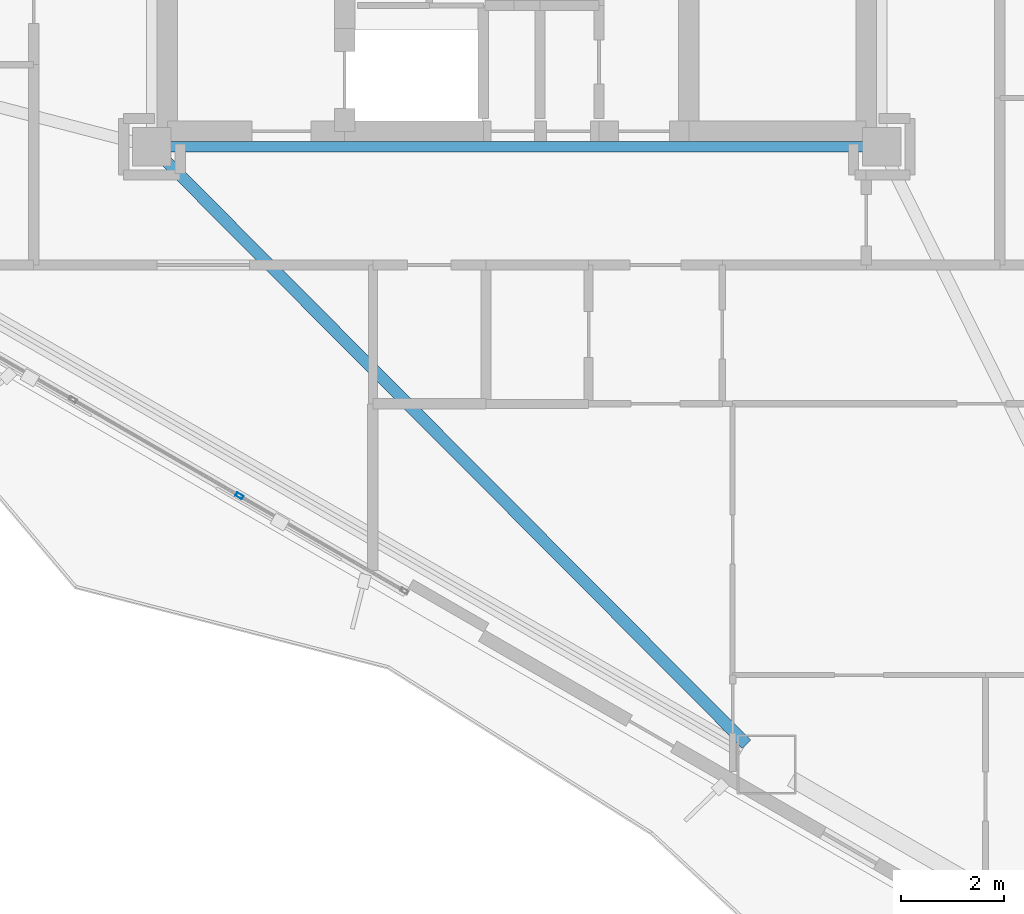
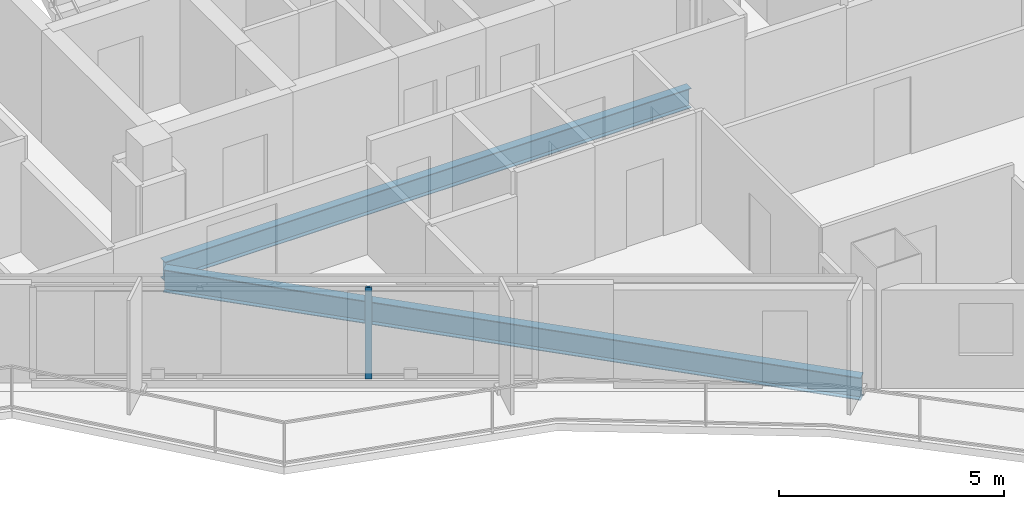
# One storey, part 4 of 22: 2 beams, 1 member, 1 element without a shape of its own.
"""IFC4 building model written with IfcOpenShell, lengths in metres."""

import ifcopenshell
import ifcopenshell.guid

model = None  # the IFC model being written
_history = None  # IfcOwnerHistory: only IFC2X3 demands one
_inside = {}  # id of a spatial element -> (the spatial element, [elements in it])
_under = {}  # id of a project, library or spatial element -> (it, [spatial elements below it])
_declared = {}  # id of a project -> (the project, [libraries it declares])
_typed = {}  # id of a type object -> (the type object, [elements of that type])
_made_of = {}  # id of a material, layer set ... -> (it, [elements and type objects made of it])


def new_model(schema):
    """Start an empty IFC model of exactly this schema.

    Asked for "IFC4X3", IfcOpenShell would pick the latest addendum, in which some entities
    have other attributes; the version numbers below select the first issue.
    IFC2X3 requires an IfcOwnerHistory on every rooted entity: one is made here for all.
    """
    global model, _history
    if schema == "IFC4X3":
        model = ifcopenshell.file(schema_version=(4, 3, 0, 0))
    else:
        model = ifcopenshell.file(schema=schema)
    _inside.clear()
    _under.clear()
    _declared.clear()
    _typed.clear()
    _made_of.clear()
    _history = None
    if model.schema == "IFC2X3":
        org = make("IfcOrganization", Name="unknown")
        user = make(
            "IfcPersonAndOrganization",
            ThePerson=make("IfcPerson", FamilyName="unknown"),
            TheOrganization=org,
        )
        app = make(
            "IfcApplication",
            ApplicationDeveloper=org,
            Version="unknown",
            ApplicationFullName="unknown",
            ApplicationIdentifier="unknown",
        )
        _history = make(
            "IfcOwnerHistory",
            OwningUser=user,
            OwningApplication=app,
            ChangeAction="ADDED",
            CreationDate=0,
        )
    return model


def make(cls, **values):
    """One entity of the class cls with the attributes given. An attribute that is None is left unset."""
    return model.create_entity(
        cls, **{name: value for name, value in values.items() if value is not None}
    )


def rooted(cls, **values):
    """An entity with a GlobalId (a new one), such as an element, a storey or a relation."""
    return make(cls, GlobalId=ifcopenshell.guid.new(), OwnerHistory=_history, **values)


def si_unit(unit_type, name, prefix=None):
    """IfcSIUnit, for example si_unit("LENGTHUNIT", "METRE", prefix="MILLI")."""
    return make("IfcSIUnit", UnitType=unit_type, Prefix=prefix, Name=name)


def assignment(units):
    """IfcUnitAssignment: the units of a project."""
    return None if units is None else make("IfcUnitAssignment", Units=units)


def point(xyz):
    """IfcCartesianPoint."""
    return None if xyz is None else make("IfcCartesianPoint", Coordinates=xyz)


def direction(xyz):
    """IfcDirection."""
    return None if xyz is None else make("IfcDirection", DirectionRatios=xyz)


def frame(location, z_axis=None, x_axis=None):
    """IfcAxis2Placement3D, a coordinate frame: its origin and axes. An axis left out is left unset."""
    return make(
        "IfcAxis2Placement3D",
        Location=point(location),
        Axis=direction(z_axis),
        RefDirection=direction(x_axis),
    )


def frame_2d(location, x_axis=None):
    """IfcAxis2Placement2D, a coordinate frame in the plane: its origin and x axis."""
    return make(
        "IfcAxis2Placement2D", Location=point(location), RefDirection=direction(x_axis)
    )


def origin():
    """The frame at (0, 0, 0) with its axes left unset."""
    return frame((0.0, 0.0, 0.0))


def origin_2d():
    """The frame at (0, 0) in the plane with its x axis left unset."""
    return frame_2d((0.0, 0.0))


def place(relative_to, where):
    """IfcLocalPlacement: puts the frame where relative to a parent placement (None: the world)."""
    return make(
        "IfcLocalPlacement", PlacementRelTo=relative_to, RelativePlacement=where
    )


def context(
    kind, dimensions, precision=None, world=None, true_north=None, identifier=None
):
    """IfcGeometricRepresentationContext, for example the 3D "Model" context."""
    return make(
        "IfcGeometricRepresentationContext",
        ContextIdentifier=identifier,
        ContextType=kind,
        CoordinateSpaceDimension=dimensions,
        Precision=precision,
        WorldCoordinateSystem=world,
        TrueNorth=true_north,
    )


def subcontext(parent, identifier, kind, view, scale=None):
    """IfcGeometricRepresentationSubContext, for example "Body" below "Model"."""
    return make(
        "IfcGeometricRepresentationSubContext",
        ContextIdentifier=identifier,
        ContextType=kind,
        ParentContext=parent,
        TargetScale=scale,
        TargetView=view,
    )


def project(units=None, contexts=None):
    """IfcProject with its units and contexts."""
    return rooted(
        "IfcProject",
        Name="project",
        RepresentationContexts=contexts,
        UnitsInContext=assignment(units),
    )


def spatial(cls, under=None, at=None, **own):
    """A site, building, storey or space (cls), placed at a placement, below another one or the project."""
    s = rooted(cls, ObjectPlacement=at, **own)
    if under is not None:
        _under.setdefault(under.id(), (under, []))[1].append(s)
    return s


def profile(cls, at=None, kind="AREA", **sizes):
    """A parametric profile (cls). Its sizes go by their IFC names, for example OverallWidth=200.0."""
    return make(cls, ProfileType=kind, Position=at, **sizes)


def hollow_rectangle(**sizes):
    """IfcRectangleHollowProfileDef."""
    return profile("IfcRectangleHollowProfileDef", **sizes)


def i_section(**sizes):
    """IfcIShapeProfileDef."""
    return profile("IfcIShapeProfileDef", **sizes)


def extrude(swept, where, along, depth):
    """IfcExtrudedAreaSolid: the profile swept, set in the frame where, extruded along a direction by depth."""
    return make(
        "IfcExtrudedAreaSolid",
        SweptArea=swept,
        Position=where,
        ExtrudedDirection=direction(along),
        Depth=depth,
    )


def shape(context_of_items, identifier, shape_type, items):
    """IfcShapeRepresentation: the items that make up one representation, for example the "Body"."""
    return make(
        "IfcShapeRepresentation",
        ContextOfItems=context_of_items,
        RepresentationIdentifier=identifier,
        RepresentationType=shape_type,
        Items=items,
    )


def material(Name=None, Category=None):
    """IfcMaterial."""
    return make("IfcMaterial", Name=Name, Category=Category)


def layer(
    of_material, thickness, ventilated=None, Name=None, Category=None, Priority=None
):
    """IfcMaterialLayer: one layer of a wall or slab, of a material (None: an air gap)."""
    return make(
        "IfcMaterialLayer",
        Material=of_material,
        LayerThickness=thickness,
        IsVentilated=ventilated,
        Name=Name,
        Category=Category,
        Priority=Priority,
    )


def layer_set(layers, Name=None):
    """IfcMaterialLayerSet."""
    return make("IfcMaterialLayerSet", MaterialLayers=layers, LayerSetName=Name)


def material_profile(
    of_material, cross_section, Name=None, Category=None, Priority=None
):
    """IfcMaterialProfile: a cross section and its material."""
    return make(
        "IfcMaterialProfile",
        Name=Name,
        Material=of_material,
        Profile=cross_section,
        Priority=Priority,
        Category=Category,
    )


def profile_set(profiles, Name=None, composite=None):
    """IfcMaterialProfileSet."""
    return make(
        "IfcMaterialProfileSet",
        Name=Name,
        MaterialProfiles=profiles,
        CompositeProfile=composite,
    )


def made_of(thing, what):
    """Note that an element or type object is made of a material, layer set ...; save() writes the relation."""
    if what is not None:
        _made_of.setdefault(what.id(), (what, []))[1].append(thing)
    return thing


def type_object(cls, material=None, **own):
    """A type object (cls), such as IfcWallType, which elements share."""
    return made_of(rooted(cls, **own), material)


def element(
    cls,
    number,
    at=None,
    inside=None,
    cuts=None,
    type_object=None,
    material=None,
    context=None,
    identifier="Body",
    shape_type=None,
    held_by="IfcProductDefinitionShape",
    body=None,
    shapes=None,
    **own,
):
    """One element of the class cls, such as IfcWall. Its Tag is "e" and its number.

    at: its placement. inside: the storey or other place that contains it. cuts: it is an
    opening in that element (IfcRelVoidsElement). A single representation is given by context,
    identifier, shape_type and body (its items); several are given by shapes. held_by: the class
    of the entity that holds the representations. save() writes the other relations.
    """
    e = rooted(cls, Tag="e%d" % number, ObjectPlacement=at, **own)
    if body is not None:
        shapes = [shape(context, identifier, shape_type, body)]
    if shapes is not None:
        e.Representation = make(held_by, Representations=shapes)
    if inside is not None:
        _inside.setdefault(inside.id(), (inside, []))[1].append(e)
    if cuts is not None:
        rooted(
            "IfcRelVoidsElement", RelatingBuildingElement=cuts, RelatedOpeningElement=e
        )
    if type_object is not None:
        _typed.setdefault(type_object.id(), (type_object, []))[1].append(e)
    return made_of(e, material)


def aggregate(whole, parts):
    """IfcRelAggregates: a whole, such as a stair, and the parts it consists of."""
    return rooted("IfcRelAggregates", RelatingObject=whole, RelatedObjects=parts)


def save(model, path):
    """Write the relations noted so far, then the file.

    IfcRelAggregates (storeys below a building ...), IfcRelContainedInSpatialStructure (elements
    in a storey), IfcRelDefinesByType, IfcRelAssociatesMaterial and IfcRelDeclares: one each for
    every whole, place, type object, material and project.
    """
    for whole, parts in _under.values():
        aggregate(whole, parts)
    for where, things in _inside.values():
        rooted(
            "IfcRelContainedInSpatialStructure",
            RelatedElements=things,
            RelatingStructure=where,
        )
    for kind, things in _typed.values():
        rooted("IfcRelDefinesByType", RelatedObjects=things, RelatingType=kind)
    for what, things in _made_of.values():
        rooted("IfcRelAssociatesMaterial", RelatedObjects=things, RelatingMaterial=what)
    for by, libraries in _declared.values():
        rooted("IfcRelDeclares", RelatingContext=by, RelatedDefinitions=libraries)
    model.write(path)


model = new_model("IFC4")

# Units and contexts
model_context = context("Model", 3, precision=1e-05, world=origin(), true_north=direction((0.0, 1.0)))
body_context = subcontext(model_context, "Body", "Model", "MODEL_VIEW")
ifc_project = project(units=[si_unit("LENGTHUNIT", "METRE"), si_unit("AREAUNIT", "SQUARE_METRE"), si_unit("VOLUMEUNIT", "CUBIC_METRE"), si_unit("PLANEANGLEUNIT", "RADIAN"), si_unit("MASSUNIT", "GRAM", prefix="KILO")], contexts=[model_context])

# Site, building, storey
site_placement = place(None, origin())
site = spatial("IfcSite", under=ifc_project, at=site_placement, CompositionType="ELEMENT")
building_placement = place(site_placement, origin())
building = spatial("IfcBuilding", under=site, at=building_placement, Name="Mersakhor Tower and Convention Hall", CompositionType="ELEMENT")
storey_placement = place(building_placement, frame((0.0, 0.0, 103.199951171875)))
storey = spatial("IfcBuildingStorey", under=building, at=storey_placement, Name="L28", CompositionType="ELEMENT", Elevation=103.199951171875)

# Beams
ifc_material_1 = material(Name="Steel S355", Category="steel")
ifc_material_profile_1 = material_profile(ifc_material_1, i_section(OverallWidth=0.2099609375, OverallDepth=0.53662109375, WebThickness=0.0107421875, FlangeThickness=0.017333984375, at=origin_2d()), Name="UB 533x210x101")
ifc_profile_set_1 = profile_set([ifc_material_profile_1], Name="Steel S355")
beam_type_1 = type_object("IfcBeamType", Name="BM-FB-533", PredefinedType="BEAM", material=ifc_profile_set_1)
beam_1_placement = place(storey_placement, frame((35.7451171875, 20.449951171875, -0.518310546875), z_axis=(-1.0, 0.0, 0.0), x_axis=(0.0, -1.0, 0.0)))
element("IfcBeam", 1, at=beam_1_placement, inside=storey, type_object=beam_type_1, Name="L28 Core Ring Tie Beam CRB-4", PredefinedType="BEAM", context=body_context, shape_type="SweptSolid", body=[
    extrude(i_section(OverallWidth=0.2099609375, OverallDepth=0.53662109375, WebThickness=0.0107421875, FlangeThickness=0.017333984375, at=origin_2d()), origin(), (0.0, 0.0, 1.0), 13.490234375),
])
ifc_material_2 = material(Name="Steel S355", Category="steel")
ifc_material_profile_2 = material_profile(ifc_material_2, i_section(OverallWidth=0.22900390625, OverallDepth=0.6123046875, WebThickness=0.011962890625, FlangeThickness=0.01953125, at=origin_2d()), Name="UB 610x229x125")
ifc_profile_set_2 = profile_set([ifc_material_profile_2], Name="Steel S355")
beam_type_2 = type_object("IfcBeamType", Name="BM-PR-610", PredefinedType="BEAM", material=ifc_profile_set_2)
beam_2_placement = place(storey_placement, frame((22.150390625, 20.198486328125, -0.55615234375), z_axis=(0.705400971754, -0.708808485452, 0.0), x_axis=(0.708808485452, 0.705400971754, 0.0)))
element("IfcBeam", 2, at=beam_2_placement, inside=storey, type_object=beam_type_2, Name="L28 Primary Floor Girder FG-5", PredefinedType="BEAM", context=body_context, shape_type="SweptSolid", body=[
    extrude(i_section(OverallWidth=0.22900390625, OverallDepth=0.6123046875, WebThickness=0.011962890625, FlangeThickness=0.01953125, at=origin_2d()), origin(), (0.0, 0.0, 1.0), 16.049072265625),
])

# Curtain wall, member
ifc_material_3 = material(Name="Dark solar low-E aluminium curtain wall", Category="aluminium")
ifc_layer = layer(ifc_material_3, 0.159912109375)
ifc_layer_set = layer_set([ifc_layer], Name="Dark solar low-E aluminium curtain wall")
curtain_wall_type = type_object("IfcCurtainWallType", Name="CW-SYS-01", PredefinedType="USERDEFINED", material=ifc_layer_set)
curtain_wall_placement = place(storey_placement, origin())
curtain_wall = element("IfcCurtainWall", 3, at=curtain_wall_placement, inside=storey, type_object=curtain_wall_type, Name="L28 Dark-Glass Curtain Wall F3-B2", ObjectType="CURTAIN WALL", PredefinedType="USERDEFINED")
ifc_material_4 = material(Name="Anodised aluminium EN AW-6063 T6", Category="aluminium")
ifc_material_profile_3 = material_profile(ifc_material_4, hollow_rectangle(XDim=0.074951171875, YDim=0.14990234375, WallThickness=0.00634765625, at=origin_2d()), Name="RHS 150x75x6.3")
ifc_profile_set_3 = profile_set([ifc_material_profile_3], Name="Anodised aluminium EN AW-6063 T6")
member_type = type_object("IfcMemberType", Name="CWM-150x75", PredefinedType="MULLION", material=ifc_profile_set_3)
member_placement = place(storey_placement, frame((23.603515625, 13.659912109375, 0.199951171875), z_axis=(0.0, 0.0, 1.0), x_axis=(-0.499997904985, -0.866026613339, 0.0)))
member = element("IfcMember", 4, at=member_placement, type_object=member_type, Name="CW-01 mullion 2", PredefinedType="MULLION", context=body_context, shape_type="SweptSolid", body=[
    extrude(hollow_rectangle(XDim=0.074951171875, YDim=0.14990234375, WallThickness=0.00634765625, at=origin_2d()), origin(), (0.0, 0.0, 1.0), 2.47021484375),
])
aggregate(curtain_wall, [member])

save(model, "model.ifc")
